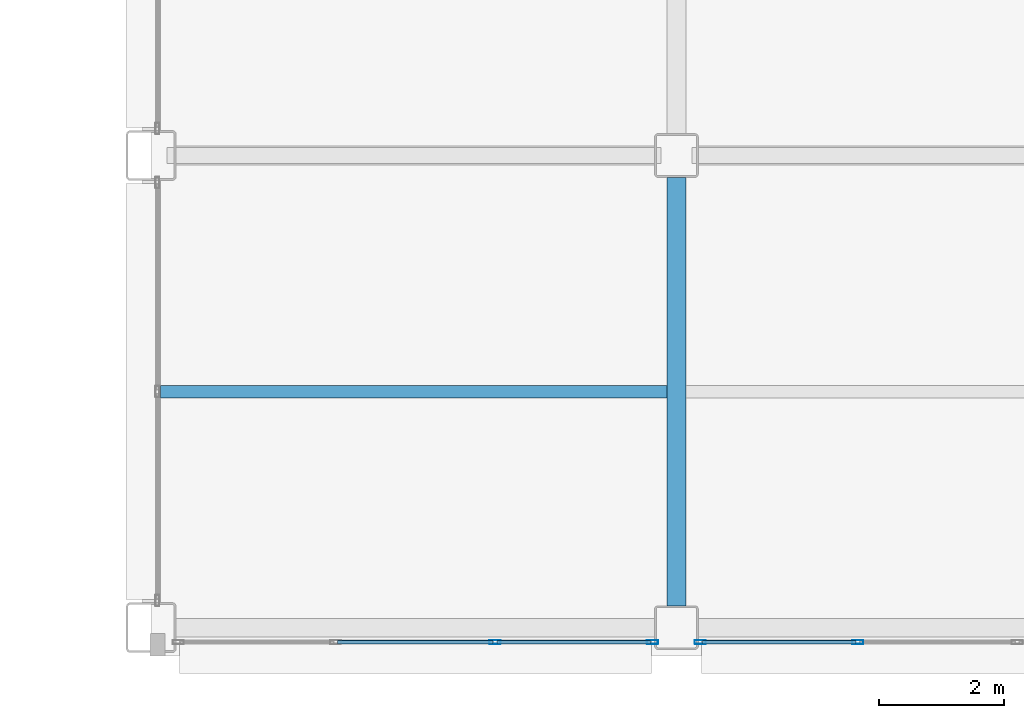
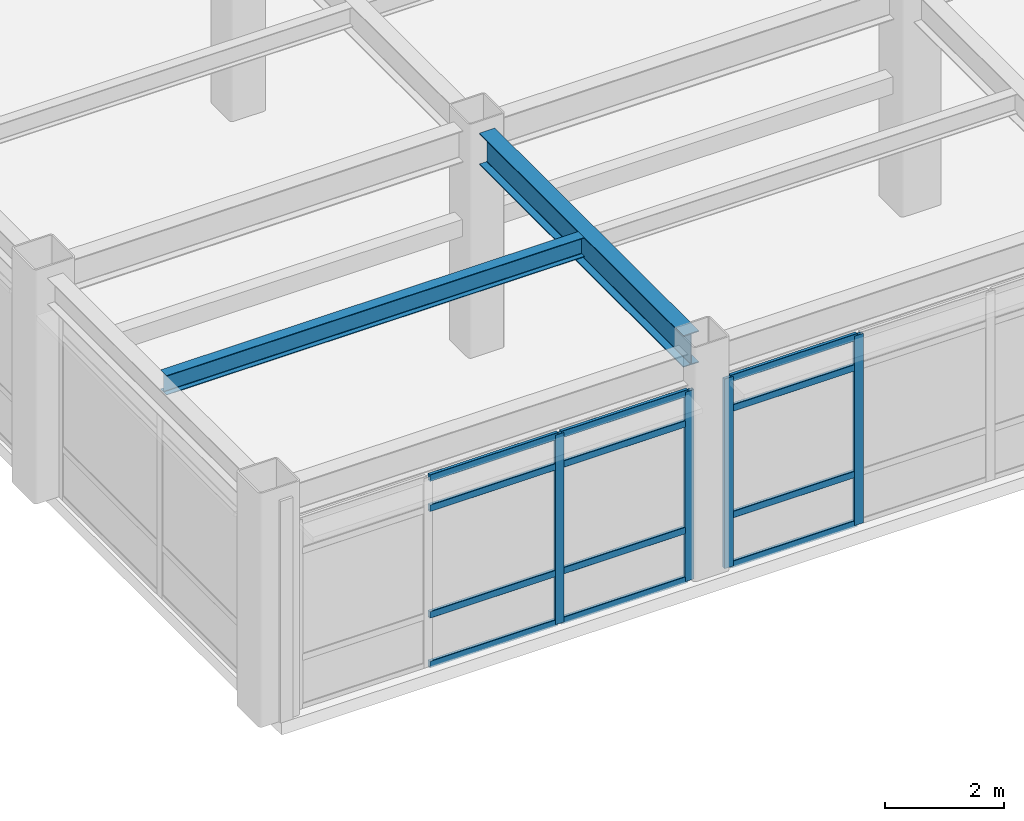
# One storey, part 81 of 154: 16 members, 2 beams, 2 elements without a shape of their own.
"""IFC4 building model written with IfcOpenShell, lengths in metres."""

from ifc_helpers import new_model, si_unit, direction, frame, origin, origin_2d, place, context, subcontext, project, spatial, hollow_rectangle, i_section, extrude, material, layer, layer_set, material_profile, profile_set, type_object, element, aggregate, save


model = new_model("IFC4")

# Units and contexts
model_context = context("Model", 3, precision=1e-05, world=origin(), true_north=direction((0.0, 1.0)))
body_context = subcontext(model_context, "Body", "Model", "MODEL_VIEW")
ifc_project = project(units=[si_unit("LENGTHUNIT", "METRE"), si_unit("AREAUNIT", "SQUARE_METRE"), si_unit("VOLUMEUNIT", "CUBIC_METRE"), si_unit("PLANEANGLEUNIT", "RADIAN"), si_unit("MASSUNIT", "GRAM", prefix="KILO")], contexts=[model_context])

# Site, building, storey
site_placement = place(None, origin())
site = spatial("IfcSite", under=ifc_project, at=site_placement, CompositionType="ELEMENT")
building_placement = place(site_placement, origin())
building = spatial("IfcBuilding", under=site, at=building_placement, Name="Kazehara Bluff Congress Hotel", CompositionType="ELEMENT")
storey_placement = place(building_placement, frame((0.0, 0.0, 10.199951171875)))
storey = spatial("IfcBuildingStorey", under=building, at=storey_placement, Name="L02", CompositionType="ELEMENT", Elevation=10.199951171875)

# Curtain wall, members
ifc_material_1 = material(Name="Anodised aluminium", Category="aluminium")
ifc_layer = layer(ifc_material_1, 0.159912109375)
ifc_layer_set = layer_set([ifc_layer], Name="Anodised aluminium")
curtain_wall_type = type_object("IfcCurtainWallType", Name="TP-CW-22", PredefinedType="NOTDEFINED", material=ifc_layer_set)
curtain_wall_1_placement = place(storey_placement, origin())
curtain_wall_1 = element("IfcCurtainWall", 1, at=curtain_wall_1_placement, inside=storey, type_object=curtain_wall_type, Name="L02 curtain wall CW-22 CW-ENC-V5-L02-14793-22", PredefinedType="NOTDEFINED")
ifc_material_2 = material(Name="Anodised aluminium", Category="aluminium")
ifc_material_profile_1 = material_profile(ifc_material_2, hollow_rectangle(XDim=0.06494140625, YDim=0.179931640625, WallThickness=0.00390625, InnerFilletRadius=0.00390625, OuterFilletRadius=0.008056640625, at=origin_2d()))
ifc_profile_set_1 = profile_set([ifc_material_profile_1], Name="Anodised aluminium")
member_type_1 = type_object("IfcMemberType", Name="TP-CWM-02", PredefinedType="MULLION", material=ifc_profile_set_1)
member_1_placement = place(storey_placement, frame((151.717529296875, 0.219970703125, 0.0), z_axis=(0.0, 0.0, 1.0), x_axis=(0.0, -1.0, 0.0)))
member_1 = element("IfcMember", 2, at=member_1_placement, type_object=member_type_1, Name="CW-22 mullion 1", PredefinedType="MULLION", context=body_context, shape_type="SweptSolid", body=[
    extrude(hollow_rectangle(XDim=0.06494140625, YDim=0.179931640625, WallThickness=0.00390625, InnerFilletRadius=0.00390625, OuterFilletRadius=0.008056640625, at=origin_2d()), origin(), (0.0, 0.0, 1.0), 3.885009765625),
])
member_2_placement = place(storey_placement, frame((149.199951171875, 0.219970703125, 0.0), z_axis=(0.0, 0.0, 1.0), x_axis=(0.0, -1.0, 0.0)))
member_2 = element("IfcMember", 3, at=member_2_placement, type_object=member_type_1, Name="CW-22 mullion 2", PredefinedType="MULLION", context=body_context, shape_type="SweptSolid", body=[
    extrude(hollow_rectangle(XDim=0.06494140625, YDim=0.179931640625, WallThickness=0.00390625, InnerFilletRadius=0.00390625, OuterFilletRadius=0.008056640625, at=origin_2d()), origin(), (0.0, 0.0, 1.0), 3.885009765625),
])

curtain_wall_2_placement = place(storey_placement, origin())
curtain_wall_2 = element("IfcCurtainWall", 4, at=curtain_wall_2_placement, inside=storey, type_object=curtain_wall_type, Name="L02 curtain wall CW-22 CW-ENC-V5-L02-15627-22", PredefinedType="NOTDEFINED")
member_3_placement = place(storey_placement, frame((155.0, 0.219970703125, 0.0), z_axis=(0.0, 0.0, 1.0), x_axis=(0.0, -1.0, 0.0)))
member_3 = element("IfcMember", 5, at=member_3_placement, type_object=member_type_1, Name="CW-22 mullion 3", PredefinedType="MULLION", context=body_context, shape_type="SweptSolid", body=[
    extrude(hollow_rectangle(XDim=0.06494140625, YDim=0.179931640625, WallThickness=0.00390625, InnerFilletRadius=0.00390625, OuterFilletRadius=0.008056640625, at=origin_2d()), origin(), (0.0, 0.0, 1.0), 3.885009765625),
])
member_4_placement = place(storey_placement, frame((152.482421875, 0.219970703125, 0.0), z_axis=(0.0, 0.0, 1.0), x_axis=(0.0, -1.0, 0.0)))
member_4 = element("IfcMember", 6, at=member_4_placement, type_object=member_type_1, Name="CW-22 mullion 4", PredefinedType="MULLION", context=body_context, shape_type="SweptSolid", body=[
    extrude(hollow_rectangle(XDim=0.06494140625, YDim=0.179931640625, WallThickness=0.00390625, InnerFilletRadius=0.00390625, OuterFilletRadius=0.008056640625, at=origin_2d()), origin(), (0.0, 0.0, 1.0), 3.885009765625),
])

# Member
ifc_material_3 = material(Name="Anodised aluminium", Category="aluminium")
ifc_material_profile_2 = material_profile(ifc_material_3, hollow_rectangle(XDim=0.06494140625, YDim=0.139892578125, WallThickness=0.00390625, InnerFilletRadius=0.00390625, OuterFilletRadius=0.008056640625, at=origin_2d()))
ifc_profile_set_2 = profile_set([ifc_material_profile_2], Name="Anodised aluminium")
member_type_2 = type_object("IfcMemberType", Name="TP-CWT-02", PredefinedType="USERDEFINED", material=ifc_profile_set_2)
member_5_placement = place(storey_placement, frame((151.68505859375, 0.219970703125, 0.032470703125), z_axis=(-1.0, 0.0, 0.0), x_axis=(0.0, -1.0, 0.0)))
member_5 = element("IfcMember", 7, at=member_5_placement, type_object=member_type_2, Name="CW-22 transom 1.1", ObjectType="TRANSOM", PredefinedType="USERDEFINED", context=body_context, shape_type="SweptSolid", body=[
    extrude(hollow_rectangle(XDim=0.06494140625, YDim=0.139892578125, WallThickness=0.00390625, InnerFilletRadius=0.00390625, OuterFilletRadius=0.008056640625, at=origin_2d()), origin(), (0.0, 0.0, 1.0), 2.45263671875),
])

member_6_placement = place(storey_placement, frame((151.68505859375, 0.219970703125, 1.050048828125), z_axis=(-1.0, 0.0, 0.0), x_axis=(0.0, -1.0, 0.0)))
member_6 = element("IfcMember", 8, at=member_6_placement, type_object=member_type_2, Name="CW-22 transom 1.2", ObjectType="TRANSOM", PredefinedType="USERDEFINED", context=body_context, shape_type="SweptSolid", body=[
    extrude(hollow_rectangle(XDim=0.06494140625, YDim=0.139892578125, WallThickness=0.00390625, InnerFilletRadius=0.00390625, OuterFilletRadius=0.008056640625, at=origin_2d()), origin(), (0.0, 0.0, 1.0), 2.45263671875),
])

member_7_placement = place(storey_placement, frame((151.68505859375, 0.219970703125, 3.235107421875), z_axis=(-1.0, 0.0, 0.0), x_axis=(0.0, -1.0, 0.0)))
member_7 = element("IfcMember", 9, at=member_7_placement, type_object=member_type_2, Name="CW-22 transom 1.3", ObjectType="TRANSOM", PredefinedType="USERDEFINED", context=body_context, shape_type="SweptSolid", body=[
    extrude(hollow_rectangle(XDim=0.06494140625, YDim=0.139892578125, WallThickness=0.00390625, InnerFilletRadius=0.00390625, OuterFilletRadius=0.008056640625, at=origin_2d()), origin(), (0.0, 0.0, 1.0), 2.45263671875),
])

member_8_placement = place(storey_placement, frame((151.68505859375, 0.219970703125, 3.8525390625), z_axis=(-1.0, 0.0, 0.0), x_axis=(0.0, -1.0, 0.0)))
member_8 = element("IfcMember", 10, at=member_8_placement, type_object=member_type_2, Name="CW-22 transom 1.4", ObjectType="TRANSOM", PredefinedType="USERDEFINED", context=body_context, shape_type="SweptSolid", body=[
    extrude(hollow_rectangle(XDim=0.06494140625, YDim=0.139892578125, WallThickness=0.00390625, InnerFilletRadius=0.00390625, OuterFilletRadius=0.008056640625, at=origin_2d()), origin(), (0.0, 0.0, 1.0), 2.45263671875),
])

member_9_placement = place(storey_placement, frame((149.16748046875, 0.219970703125, 0.032470703125), z_axis=(-1.0, 0.0, 0.0), x_axis=(0.0, -1.0, 0.0)))
member_9 = element("IfcMember", 11, at=member_9_placement, type_object=member_type_2, Name="CW-22 transom 2.1", ObjectType="TRANSOM", PredefinedType="USERDEFINED", context=body_context, shape_type="SweptSolid", body=[
    extrude(hollow_rectangle(XDim=0.06494140625, YDim=0.139892578125, WallThickness=0.00390625, InnerFilletRadius=0.00390625, OuterFilletRadius=0.008056640625, at=origin_2d()), origin(), (0.0, 0.0, 1.0), 2.48486328125),
])

member_10_placement = place(storey_placement, frame((149.16748046875, 0.219970703125, 1.050048828125), z_axis=(-1.0, 0.0, 0.0), x_axis=(0.0, -1.0, 0.0)))
member_10 = element("IfcMember", 12, at=member_10_placement, type_object=member_type_2, Name="CW-22 transom 2.2", ObjectType="TRANSOM", PredefinedType="USERDEFINED", context=body_context, shape_type="SweptSolid", body=[
    extrude(hollow_rectangle(XDim=0.06494140625, YDim=0.139892578125, WallThickness=0.00390625, InnerFilletRadius=0.00390625, OuterFilletRadius=0.008056640625, at=origin_2d()), origin(), (0.0, 0.0, 1.0), 2.48486328125),
])

member_11_placement = place(storey_placement, frame((149.16748046875, 0.219970703125, 3.235107421875), z_axis=(-1.0, 0.0, 0.0), x_axis=(0.0, -1.0, 0.0)))
member_11 = element("IfcMember", 13, at=member_11_placement, type_object=member_type_2, Name="CW-22 transom 2.3", ObjectType="TRANSOM", PredefinedType="USERDEFINED", context=body_context, shape_type="SweptSolid", body=[
    extrude(hollow_rectangle(XDim=0.06494140625, YDim=0.139892578125, WallThickness=0.00390625, InnerFilletRadius=0.00390625, OuterFilletRadius=0.008056640625, at=origin_2d()), origin(), (0.0, 0.0, 1.0), 2.48486328125),
])

member_12_placement = place(storey_placement, frame((149.16748046875, 0.219970703125, 3.8525390625), z_axis=(-1.0, 0.0, 0.0), x_axis=(0.0, -1.0, 0.0)))
member_12 = element("IfcMember", 14, at=member_12_placement, type_object=member_type_2, Name="CW-22 transom 2.4", ObjectType="TRANSOM", PredefinedType="USERDEFINED", context=body_context, shape_type="SweptSolid", body=[
    extrude(hollow_rectangle(XDim=0.06494140625, YDim=0.139892578125, WallThickness=0.00390625, InnerFilletRadius=0.00390625, OuterFilletRadius=0.008056640625, at=origin_2d()), origin(), (0.0, 0.0, 1.0), 2.48486328125),
])

aggregate(curtain_wall_1, [member_1, member_2, member_5, member_6, member_7, member_8, member_9, member_10, member_11, member_12])

member_13_placement = place(storey_placement, frame((154.967529296875, 0.219970703125, 0.032470703125), z_axis=(-1.0, 0.0, 0.0), x_axis=(0.0, -1.0, 0.0)))
member_13 = element("IfcMember", 15, at=member_13_placement, type_object=member_type_2, Name="CW-22 transom 3.1", ObjectType="TRANSOM", PredefinedType="USERDEFINED", context=body_context, shape_type="SweptSolid", body=[
    extrude(hollow_rectangle(XDim=0.06494140625, YDim=0.139892578125, WallThickness=0.00390625, InnerFilletRadius=0.00390625, OuterFilletRadius=0.008056640625, at=origin_2d()), origin(), (0.0, 0.0, 1.0), 2.45263671875),
])

member_14_placement = place(storey_placement, frame((154.967529296875, 0.219970703125, 1.050048828125), z_axis=(-1.0, 0.0, 0.0), x_axis=(0.0, -1.0, 0.0)))
member_14 = element("IfcMember", 16, at=member_14_placement, type_object=member_type_2, Name="CW-22 transom 3.2", ObjectType="TRANSOM", PredefinedType="USERDEFINED", context=body_context, shape_type="SweptSolid", body=[
    extrude(hollow_rectangle(XDim=0.06494140625, YDim=0.139892578125, WallThickness=0.00390625, InnerFilletRadius=0.00390625, OuterFilletRadius=0.008056640625, at=origin_2d()), origin(), (0.0, 0.0, 1.0), 2.45263671875),
])

member_15_placement = place(storey_placement, frame((154.967529296875, 0.219970703125, 3.235107421875), z_axis=(-1.0, 0.0, 0.0), x_axis=(0.0, -1.0, 0.0)))
member_15 = element("IfcMember", 17, at=member_15_placement, type_object=member_type_2, Name="CW-22 transom 3.3", ObjectType="TRANSOM", PredefinedType="USERDEFINED", context=body_context, shape_type="SweptSolid", body=[
    extrude(hollow_rectangle(XDim=0.06494140625, YDim=0.139892578125, WallThickness=0.00390625, InnerFilletRadius=0.00390625, OuterFilletRadius=0.008056640625, at=origin_2d()), origin(), (0.0, 0.0, 1.0), 2.45263671875),
])

member_16_placement = place(storey_placement, frame((154.967529296875, 0.219970703125, 3.8525390625), z_axis=(-1.0, 0.0, 0.0), x_axis=(0.0, -1.0, 0.0)))
member_16 = element("IfcMember", 18, at=member_16_placement, type_object=member_type_2, Name="CW-22 transom 3.4", ObjectType="TRANSOM", PredefinedType="USERDEFINED", context=body_context, shape_type="SweptSolid", body=[
    extrude(hollow_rectangle(XDim=0.06494140625, YDim=0.139892578125, WallThickness=0.00390625, InnerFilletRadius=0.00390625, OuterFilletRadius=0.008056640625, at=origin_2d()), origin(), (0.0, 0.0, 1.0), 2.45263671875),
])

aggregate(curtain_wall_2, [member_3, member_4, member_13, member_14, member_15, member_16])

# Beams
ifc_material_4 = material(Name="Steel SN490B", Category="steel")
ifc_material_profile_3 = material_profile(ifc_material_4, i_section(OverallWidth=0.300048828125, OverallDepth=0.64990234375, WebThickness=0.011962890625, FlangeThickness=0.02001953125, FilletRadius=0.012939453125, at=origin_2d()))
ifc_profile_set_3 = profile_set([ifc_material_profile_3], Name="Steel SN490B")
beam_type_1 = type_object("IfcBeamType", Name="TP-G-03", PredefinedType="BEAM", material=ifc_profile_set_3)
beam_1_placement = place(storey_placement, frame((152.10009765625, 0.800048828125, 4.235107421875), z_axis=(0.0, 1.0, 0.0), x_axis=(-1.0, 0.0, 0.0)))
element("IfcBeam", 19, at=beam_1_placement, inside=storey, type_object=beam_type_1, Name="L02 girder G-03 151", PredefinedType="BEAM", context=body_context, shape_type="SweptSolid", body=[
    extrude(i_section(OverallWidth=0.300048828125, OverallDepth=0.64990234375, WebThickness=0.011962890625, FlangeThickness=0.02001953125, FilletRadius=0.012939453125, at=origin_2d()), origin(), (0.0, 0.0, 1.0), 6.849853515625),
])
ifc_material_5 = material(Name="Steel SN400B", Category="steel")
ifc_material_profile_4 = material_profile(ifc_material_5, i_section(OverallWidth=0.199951171875, OverallDepth=0.39990234375, WebThickness=0.008056640625, FlangeThickness=0.012939453125, FilletRadius=0.012939453125, at=origin_2d()))
ifc_profile_set_4 = profile_set([ifc_material_profile_4], Name="Steel SN400B")
beam_type_2 = type_object("IfcBeamType", Name="TP-J-03", PredefinedType="JOIST", material=ifc_profile_set_4)
beam_2_placement = place(storey_placement, frame((143.85009765625, 4.22509765625, 4.360107421875), z_axis=(1.0, 0.0, 0.0), x_axis=(0.0, 1.0, 0.0)))
element("IfcBeam", 20, at=beam_2_placement, inside=storey, type_object=beam_type_2, Name="L02 secondary joist J-03 35", PredefinedType="JOIST", context=body_context, shape_type="SweptSolid", body=[
    extrude(i_section(OverallWidth=0.199951171875, OverallDepth=0.39990234375, WebThickness=0.008056640625, FlangeThickness=0.012939453125, FilletRadius=0.012939453125, at=origin_2d()), origin(), (0.0, 0.0, 1.0), 8.099853515625),
])

save(model, "model.ifc")
